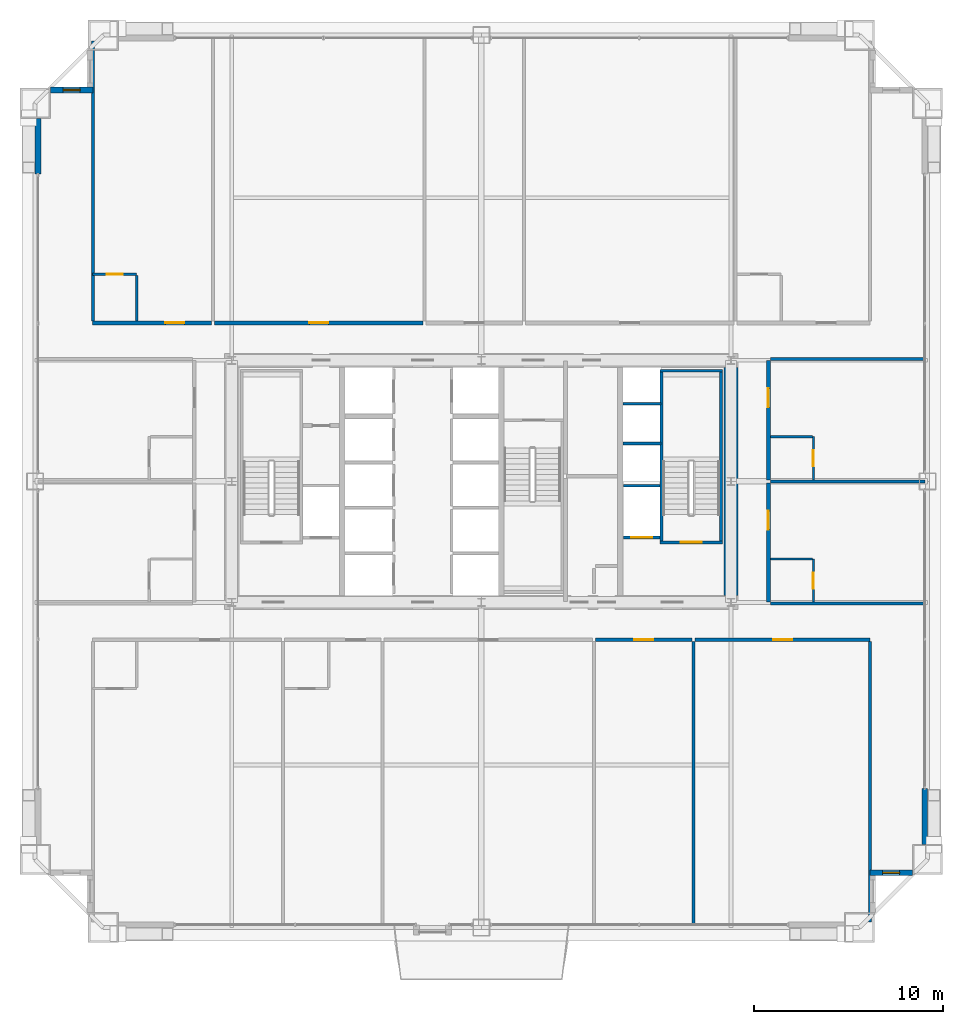
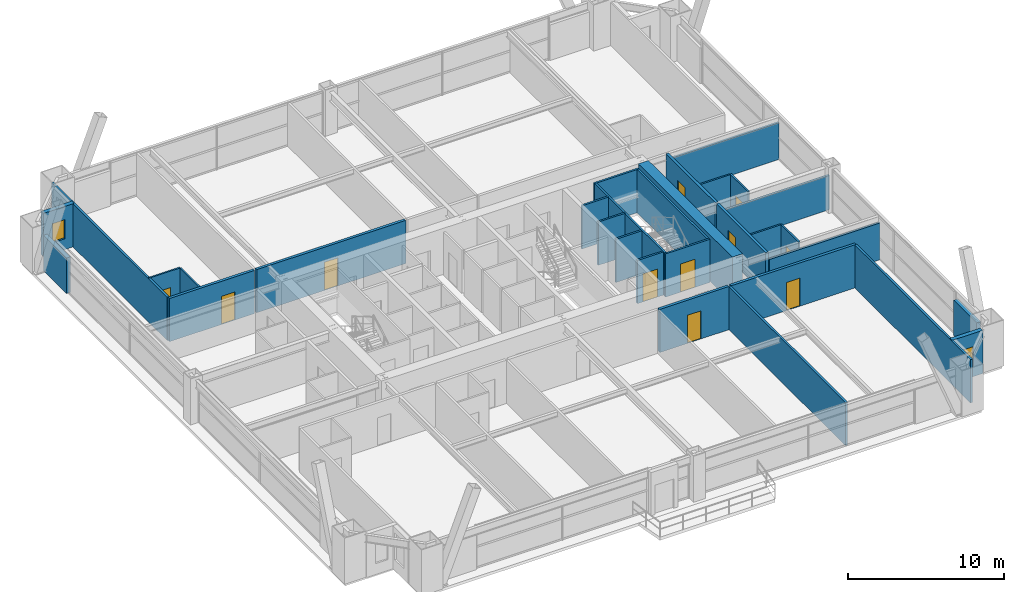
# One storey, part 41 of 43: 31 walls, 11 doors, 2 windows, 13 openings.
"""IFC4 building model written with IfcOpenShell, lengths in metres."""

import ifcopenshell
import ifcopenshell.guid

model = None  # the IFC model being written
_history = None  # IfcOwnerHistory: only IFC2X3 demands one
_inside = {}  # id of a spatial element -> (the spatial element, [elements in it])
_under = {}  # id of a project, library or spatial element -> (it, [spatial elements below it])
_declared = {}  # id of a project -> (the project, [libraries it declares])
_typed = {}  # id of a type object -> (the type object, [elements of that type])
_made_of = {}  # id of a material, layer set ... -> (it, [elements and type objects made of it])


def new_model(schema):
    """Start an empty IFC model of exactly this schema.

    Asked for "IFC4X3", IfcOpenShell would pick the latest addendum, in which some entities
    have other attributes; the version numbers below select the first issue.
    IFC2X3 requires an IfcOwnerHistory on every rooted entity: one is made here for all.
    """
    global model, _history
    if schema == "IFC4X3":
        model = ifcopenshell.file(schema_version=(4, 3, 0, 0))
    else:
        model = ifcopenshell.file(schema=schema)
    _inside.clear()
    _under.clear()
    _declared.clear()
    _typed.clear()
    _made_of.clear()
    _history = None
    if model.schema == "IFC2X3":
        org = make("IfcOrganization", Name="unknown")
        user = make(
            "IfcPersonAndOrganization",
            ThePerson=make("IfcPerson", FamilyName="unknown"),
            TheOrganization=org,
        )
        app = make(
            "IfcApplication",
            ApplicationDeveloper=org,
            Version="unknown",
            ApplicationFullName="unknown",
            ApplicationIdentifier="unknown",
        )
        _history = make(
            "IfcOwnerHistory",
            OwningUser=user,
            OwningApplication=app,
            ChangeAction="ADDED",
            CreationDate=0,
        )
    return model


def make(cls, **values):
    """One entity of the class cls with the attributes given. An attribute that is None is left unset."""
    return model.create_entity(
        cls, **{name: value for name, value in values.items() if value is not None}
    )


def rooted(cls, **values):
    """An entity with a GlobalId (a new one), such as an element, a storey or a relation."""
    return make(cls, GlobalId=ifcopenshell.guid.new(), OwnerHistory=_history, **values)


def si_unit(unit_type, name, prefix=None):
    """IfcSIUnit, for example si_unit("LENGTHUNIT", "METRE", prefix="MILLI")."""
    return make("IfcSIUnit", UnitType=unit_type, Prefix=prefix, Name=name)


def assignment(units):
    """IfcUnitAssignment: the units of a project."""
    return None if units is None else make("IfcUnitAssignment", Units=units)


def point(xyz):
    """IfcCartesianPoint."""
    return None if xyz is None else make("IfcCartesianPoint", Coordinates=xyz)


def direction(xyz):
    """IfcDirection."""
    return None if xyz is None else make("IfcDirection", DirectionRatios=xyz)


def frame(location, z_axis=None, x_axis=None):
    """IfcAxis2Placement3D, a coordinate frame: its origin and axes. An axis left out is left unset."""
    return make(
        "IfcAxis2Placement3D",
        Location=point(location),
        Axis=direction(z_axis),
        RefDirection=direction(x_axis),
    )


def frame_2d(location, x_axis=None):
    """IfcAxis2Placement2D, a coordinate frame in the plane: its origin and x axis."""
    return make(
        "IfcAxis2Placement2D", Location=point(location), RefDirection=direction(x_axis)
    )


def origin():
    """The frame at (0, 0, 0) with its axes left unset."""
    return frame((0.0, 0.0, 0.0))


def place(relative_to, where):
    """IfcLocalPlacement: puts the frame where relative to a parent placement (None: the world)."""
    return make(
        "IfcLocalPlacement", PlacementRelTo=relative_to, RelativePlacement=where
    )


def context(
    kind, dimensions, precision=None, world=None, true_north=None, identifier=None
):
    """IfcGeometricRepresentationContext, for example the 3D "Model" context."""
    return make(
        "IfcGeometricRepresentationContext",
        ContextIdentifier=identifier,
        ContextType=kind,
        CoordinateSpaceDimension=dimensions,
        Precision=precision,
        WorldCoordinateSystem=world,
        TrueNorth=true_north,
    )


def subcontext(parent, identifier, kind, view, scale=None):
    """IfcGeometricRepresentationSubContext, for example "Body" below "Model"."""
    return make(
        "IfcGeometricRepresentationSubContext",
        ContextIdentifier=identifier,
        ContextType=kind,
        ParentContext=parent,
        TargetScale=scale,
        TargetView=view,
    )


def project(units=None, contexts=None):
    """IfcProject with its units and contexts."""
    return rooted(
        "IfcProject",
        Name="project",
        RepresentationContexts=contexts,
        UnitsInContext=assignment(units),
    )


def spatial(cls, under=None, at=None, **own):
    """A site, building, storey or space (cls), placed at a placement, below another one or the project."""
    s = rooted(cls, ObjectPlacement=at, **own)
    if under is not None:
        _under.setdefault(under.id(), (under, []))[1].append(s)
    return s


def profile(cls, at=None, kind="AREA", **sizes):
    """A parametric profile (cls). Its sizes go by their IFC names, for example OverallWidth=200.0."""
    return make(cls, ProfileType=kind, Position=at, **sizes)


def rectangle(**sizes):
    """IfcRectangleProfileDef."""
    return profile("IfcRectangleProfileDef", **sizes)


def extrude(swept, where, along, depth):
    """IfcExtrudedAreaSolid: the profile swept, set in the frame where, extruded along a direction by depth."""
    return make(
        "IfcExtrudedAreaSolid",
        SweptArea=swept,
        Position=where,
        ExtrudedDirection=direction(along),
        Depth=depth,
    )


def shape(context_of_items, identifier, shape_type, items):
    """IfcShapeRepresentation: the items that make up one representation, for example the "Body"."""
    return make(
        "IfcShapeRepresentation",
        ContextOfItems=context_of_items,
        RepresentationIdentifier=identifier,
        RepresentationType=shape_type,
        Items=items,
    )


def source(mapping_origin, context_of_items, identifier, shape_type, items):
    """IfcRepresentationMap: a shape defined once, which mapped items show again and again."""
    return make(
        "IfcRepresentationMap",
        MappingOrigin=mapping_origin,
        MappedRepresentation=shape(context_of_items, identifier, shape_type, items),
    )


def transform(
    local_origin,
    x_axis=None,
    y_axis=None,
    z_axis=None,
    scale=None,
    scale2=None,
    scale3=None,
    uniform=True,
):
    """IfcCartesianTransformationOperator3D, or its non-uniform kind. x_axis, y_axis, z_axis: its Axis1, 2, 3."""
    if uniform:
        return make(
            "IfcCartesianTransformationOperator3D",
            Axis1=direction(x_axis),
            Axis2=direction(y_axis),
            LocalOrigin=point(local_origin),
            Scale=scale,
            Axis3=direction(z_axis),
        )
    return make(
        "IfcCartesianTransformationOperator3DnonUniform",
        Axis1=direction(x_axis),
        Axis2=direction(y_axis),
        LocalOrigin=point(local_origin),
        Scale=scale,
        Axis3=direction(z_axis),
        Scale2=scale2,
        Scale3=scale3,
    )


def mapped(mapping_source, mapping_target):
    """IfcMappedItem: shows the shape of a source again, moved by a transform."""
    return make(
        "IfcMappedItem", MappingSource=mapping_source, MappingTarget=mapping_target
    )


def material(Name=None, Category=None):
    """IfcMaterial."""
    return make("IfcMaterial", Name=Name, Category=Category)


def layer(
    of_material, thickness, ventilated=None, Name=None, Category=None, Priority=None
):
    """IfcMaterialLayer: one layer of a wall or slab, of a material (None: an air gap)."""
    return make(
        "IfcMaterialLayer",
        Material=of_material,
        LayerThickness=thickness,
        IsVentilated=ventilated,
        Name=Name,
        Category=Category,
        Priority=Priority,
    )


def layer_set(layers, Name=None):
    """IfcMaterialLayerSet."""
    return make("IfcMaterialLayerSet", MaterialLayers=layers, LayerSetName=Name)


def made_of(thing, what):
    """Note that an element or type object is made of a material, layer set ...; save() writes the relation."""
    if what is not None:
        _made_of.setdefault(what.id(), (what, []))[1].append(thing)
    return thing


def type_object(cls, material=None, **own):
    """A type object (cls), such as IfcWallType, which elements share."""
    return made_of(rooted(cls, **own), material)


def element(
    cls,
    number,
    at=None,
    inside=None,
    cuts=None,
    type_object=None,
    material=None,
    context=None,
    identifier="Body",
    shape_type=None,
    held_by="IfcProductDefinitionShape",
    body=None,
    shapes=None,
    **own,
):
    """One element of the class cls, such as IfcWall. Its Tag is "e" and its number.

    at: its placement. inside: the storey or other place that contains it. cuts: it is an
    opening in that element (IfcRelVoidsElement). A single representation is given by context,
    identifier, shape_type and body (its items); several are given by shapes. held_by: the class
    of the entity that holds the representations. save() writes the other relations.
    """
    e = rooted(cls, Tag="e%d" % number, ObjectPlacement=at, **own)
    if body is not None:
        shapes = [shape(context, identifier, shape_type, body)]
    if shapes is not None:
        e.Representation = make(held_by, Representations=shapes)
    if inside is not None:
        _inside.setdefault(inside.id(), (inside, []))[1].append(e)
    if cuts is not None:
        rooted(
            "IfcRelVoidsElement", RelatingBuildingElement=cuts, RelatedOpeningElement=e
        )
    if type_object is not None:
        _typed.setdefault(type_object.id(), (type_object, []))[1].append(e)
    return made_of(e, material)


def fill(opening, filler):
    """IfcRelFillsElement: the door or window that sits in an opening."""
    return rooted(
        "IfcRelFillsElement",
        RelatingOpeningElement=opening,
        RelatedBuildingElement=filler,
    )


def aggregate(whole, parts):
    """IfcRelAggregates: a whole, such as a stair, and the parts it consists of."""
    return rooted("IfcRelAggregates", RelatingObject=whole, RelatedObjects=parts)


def save(model, path):
    """Write the relations noted so far, then the file.

    IfcRelAggregates (storeys below a building ...), IfcRelContainedInSpatialStructure (elements
    in a storey), IfcRelDefinesByType, IfcRelAssociatesMaterial and IfcRelDeclares: one each for
    every whole, place, type object, material and project.
    """
    for whole, parts in _under.values():
        aggregate(whole, parts)
    for where, things in _inside.values():
        rooted(
            "IfcRelContainedInSpatialStructure",
            RelatedElements=things,
            RelatingStructure=where,
        )
    for kind, things in _typed.values():
        rooted("IfcRelDefinesByType", RelatedObjects=things, RelatingType=kind)
    for what, things in _made_of.values():
        rooted("IfcRelAssociatesMaterial", RelatedObjects=things, RelatingMaterial=what)
    for by, libraries in _declared.values():
        rooted("IfcRelDeclares", RelatingContext=by, RelatedDefinitions=libraries)
    model.write(path)


model = new_model("IFC4")

# Units and contexts
model_context = context("Model", 3, precision=1e-05, world=origin(), true_north=direction((0.0, 1.0)))
body_context = subcontext(model_context, "Body", "Model", "MODEL_VIEW")
ifc_project = project(units=[si_unit("LENGTHUNIT", "METRE"), si_unit("AREAUNIT", "SQUARE_METRE"), si_unit("VOLUMEUNIT", "CUBIC_METRE"), si_unit("PLANEANGLEUNIT", "RADIAN"), si_unit("MASSUNIT", "GRAM", prefix="KILO"), si_unit("THERMODYNAMICTEMPERATUREUNIT", "KELVIN"), si_unit("POWERUNIT", "WATT")], contexts=[model_context])

# Site, building, storey
site_placement = place(None, origin())
site = spatial("IfcSite", under=ifc_project, at=site_placement, CompositionType="ELEMENT")
building_placement = place(site_placement, origin())
building = spatial("IfcBuilding", under=site, at=building_placement, Name="Yuzanri Waterfront Tower", CompositionType="ELEMENT")
storey_placement = place(building_placement, frame((0.0, 0.0, 138.0)))
storey = spatial("IfcBuildingStorey", under=building, at=storey_placement, Name="L36", CompositionType="ELEMENT", Elevation=138.0)

# Wall, opening, door
ifc_material_1 = material(Name="Moisture-Resistant Gypsum Stud Wall", Category="gypsum")
ifc_layer_1 = layer(ifc_material_1, 0.1201171875)
ifc_layer_set_1 = layer_set([ifc_layer_1], Name="Moisture-Resistant Gypsum Stud Wall")
wall_type_1 = type_object("IfcWallType", Name="Bathroom and Kitchen Wet Partition 120", PredefinedType="PARTITIONING", material=ifc_layer_set_1)
wall_1_placement = place(storey_placement, frame((16.43994140625, 36.760009765625, 0.0), z_axis=(0.0, 0.0, 1.0), x_axis=(1.0, 0.0, 0.0)))
wall_1 = element("IfcWall", 1, at=wall_1_placement, inside=storey, type_object=wall_type_1, Name="L36 Partition UW-L36-N1-BN", PredefinedType="PARTITIONING", context=body_context, shape_type="SweptSolid", body=[
    extrude(rectangle(XDim=2.330078125, YDim=0.1201171875, at=frame_2d((1.1650390625, 0.0))), origin(), (0.0, 0.0, 1.0), 3.3798828125),
])
opening_1_placement = place(wall_1_placement, frame((0.739990234375, 0.0, 0.0)))
opening_1 = element("IfcOpeningElement", 2, at=opening_1_placement, cuts=wall_1, Name="Opening ID-0850", PredefinedType="OPENING", context=body_context, shape_type="SweptSolid", body=[
    extrude(rectangle(XDim=0.85009765625, YDim=2.10009765625, at=frame_2d((0.425048828125, 1.050048828125))), frame((0.0, 0.074951171875, 0.0), z_axis=(0.0, -1.0, 0.0), x_axis=(1.0, 0.0, 0.0)), (0.0, 0.0, 1.0), 0.14990234375),
])
ifc_material_2 = material(Name="Moisture-Resistant Lacquered Timber", Category="wood")
door_type_1 = type_object("IfcDoorType", Name="En-Suite Bathroom and Kitchen Swing Door 850x2100", OperationType="NOTDEFINED", PredefinedType="DOOR", material=ifc_material_2)
shared_shape_1 = source(origin(), body_context, "Body", "SweptSolid", [
    extrude(rectangle(XDim=0.85009765625, YDim=2.10009765625, at=frame_2d((0.425048828125, 1.050048828125))), frame((0.0, 0.02490234375, 0.0), z_axis=(0.0, -1.0, 0.0), x_axis=(1.0, 0.0, 0.0)), (0.0, 0.0, 1.0), 0.050048828125),
])
door_1_placement = place(opening_1_placement, origin())
door_1 = element("IfcDoor", 3, at=door_1_placement, inside=storey, type_object=door_type_1, Name="L36 Guest En-Suite Door", OperationType="SINGLE_SWING_RIGHT", OverallHeight=2.10009765625, OverallWidth=0.85009765625, PredefinedType="DOOR", context=body_context, shape_type="MappedRepresentation", body=[
    mapped(shared_shape_1, transform((0.0, 0.0, 0.0), scale=1.0)),
])
fill(opening_1, door_1)

wall_2_placement = place(storey_placement, frame((54.56005859375, 19.409912109375, 0.0), z_axis=(0.0, 0.0, 1.0), x_axis=(0.0, 1.0, 0.0)))
wall_2 = element("IfcWall", 4, at=wall_2_placement, inside=storey, type_object=wall_type_1, Name="L36 Partition UW-L36-E1-BE2", PredefinedType="PARTITIONING", context=body_context, shape_type="SweptSolid", body=[
    extrude(rectangle(XDim=2.280029296875, YDim=0.1201171875, at=frame_2d((1.14013671875, 0.0))), origin(), (0.0, 0.0, 1.0), 3.3798828125),
])
opening_2_placement = place(wall_2_placement, frame((0.715087890625, 0.0, 0.0)))
opening_2 = element("IfcOpeningElement", 5, at=opening_2_placement, cuts=wall_2, Name="Opening ID-0850", PredefinedType="OPENING", context=body_context, shape_type="SweptSolid", body=[
    extrude(rectangle(XDim=0.85009765625, YDim=2.10009765625, at=frame_2d((0.425048828125, 1.050048828125))), frame((0.0, 0.074951171875, 0.0), z_axis=(0.0, -1.0, 0.0), x_axis=(1.0, 0.0, 0.0)), (0.0, 0.0, 1.0), 0.14990234375),
])
door_2_placement = place(opening_2_placement, origin())
door_2 = element("IfcDoor", 6, at=door_2_placement, inside=storey, type_object=door_type_1, Name="L36 Guest En-Suite Door", OperationType="SINGLE_SWING_LEFT", OverallHeight=2.10009765625, OverallWidth=0.85009765625, PredefinedType="DOOR", context=body_context, shape_type="MappedRepresentation", body=[
    mapped(shared_shape_1, transform((0.0, 0.0, 0.0), scale=1.0)),
])
fill(opening_2, door_2)

wall_3_placement = place(storey_placement, frame((54.56005859375, 25.8798828125, 0.0), z_axis=(0.0, 0.0, 1.0), x_axis=(0.0, 1.0, 0.0)))
wall_3 = element("IfcWall", 7, at=wall_3_placement, inside=storey, type_object=wall_type_1, Name="L36 Partition UW-L36-E2-BE2", PredefinedType="PARTITIONING", context=body_context, shape_type="SweptSolid", body=[
    extrude(rectangle(XDim=2.280029296875, YDim=0.1201171875, at=frame_2d((1.14013671875, 0.0))), origin(), (0.0, 0.0, 1.0), 3.3798828125),
])
opening_3_placement = place(wall_3_placement, frame((0.715087890625, 0.0, 0.0)))
opening_3 = element("IfcOpeningElement", 8, at=opening_3_placement, cuts=wall_3, Name="Opening ID-0850", PredefinedType="OPENING", context=body_context, shape_type="SweptSolid", body=[
    extrude(rectangle(XDim=0.85009765625, YDim=2.10009765625, at=frame_2d((0.425048828125, 1.050048828125))), frame((0.0, 0.074951171875, 0.0), z_axis=(0.0, -1.0, 0.0), x_axis=(1.0, 0.0, 0.0)), (0.0, 0.0, 1.0), 0.14990234375),
])
door_3_placement = place(opening_3_placement, origin())
door_3 = element("IfcDoor", 9, at=door_3_placement, inside=storey, type_object=door_type_1, Name="L36 Guest En-Suite Door", OperationType="SINGLE_SWING_LEFT", OverallHeight=2.10009765625, OverallWidth=0.85009765625, PredefinedType="DOOR", context=body_context, shape_type="MappedRepresentation", body=[
    mapped(shared_shape_1, transform((0.0, 0.0, 0.0), scale=1.0)),
])
fill(opening_3, door_3)

# Wall, opening, window
ifc_material_3 = material(Name="Honed Chongqing Dark Basalt Stone", Category="masonry")
ifc_layer_2 = layer(ifc_material_3, 0.300048828125)
ifc_layer_set_2 = layer_set([ifc_layer_2], Name="Honed Chongqing Dark Basalt Stone")
wall_type_2 = type_object("IfcWallType", Name="Bronze Rainscreen Insulated Spandrel Portal Wall 300", PredefinedType="SOLIDWALL", material=ifc_layer_set_2)
wall_4_placement = place(storey_placement, frame((57.550048828125, 5.10009765625, 0.0), z_axis=(0.0, 0.0, 1.0), x_axis=(1.0, 0.0, 0.0)))
wall_4 = element("IfcWall", 10, at=wall_4_placement, inside=storey, type_object=wall_type_2, Name="L36 Notched Corner Masonry Wall SE-X", PredefinedType="SOLIDWALL", context=body_context, shape_type="SweptSolid", body=[
    extrude(rectangle(XDim=2.25, YDim=0.300048828125, at=frame_2d((1.125, 0.0))), origin(), (0.0, 0.0, 1.0), 3.3798828125),
])
opening_4_placement = place(wall_4_placement, frame((0.675048828125, 0.0, 0.85009765625)))
opening_4 = element("IfcOpeningElement", 11, at=opening_4_placement, cuts=wall_4, Name="Opening WN-05", PredefinedType="OPENING", context=body_context, shape_type="SweptSolid", body=[
    extrude(rectangle(XDim=0.89990234375, YDim=1.5, at=frame_2d((0.449951171875, 0.75))), frame((0.0, 0.1650390625, 0.0), z_axis=(0.0, -1.0, 0.0), x_axis=(1.0, 0.0, 0.0)), (0.0, 0.0, 1.0), 0.329833984375),
])
ifc_material_4 = material(Name="Double-Silver Low-E Insulated Glass", Category="glass")
window_type = type_object("IfcWindowType", Name="Anodized Bronze Service and Stairwell Smoke-Vent Window 900x1500", PartitioningType="SINGLE_PANEL", PredefinedType="WINDOW", material=ifc_material_4)
shared_shape_2 = source(origin(), body_context, "Body", "SweptSolid", [
    extrude(rectangle(XDim=0.89990234375, YDim=1.5, at=frame_2d((0.449951171875, 0.75))), frame((0.0, 0.030029296875, 0.0), z_axis=(0.0, -1.0, 0.0), x_axis=(1.0, 0.0, 0.0)), (0.0, 0.0, 1.0), 0.06005859375),
])
window_1_placement = place(opening_4_placement, origin())
window_1 = element("IfcWindow", 12, at=window_1_placement, inside=storey, type_object=window_type, Name="L36 Notched Corner Window SE-X", OverallHeight=1.5, OverallWidth=0.89990234375, PartitioningType="SINGLE_PANEL", PredefinedType="WINDOW", context=body_context, shape_type="MappedRepresentation", body=[
    mapped(shared_shape_2, transform((0.0, 0.0, 0.0), scale=1.0)),
])
fill(opening_4, window_1)

wall_5_placement = place(storey_placement, frame((16.449951171875, 46.5, 0.0), z_axis=(0.0, 0.0, 1.0), x_axis=(-1.0, 0.0, 0.0)))
wall_5 = element("IfcWall", 13, at=wall_5_placement, inside=storey, type_object=wall_type_2, Name="L36 Notched Corner Masonry Wall NW-X", PredefinedType="SOLIDWALL", context=body_context, shape_type="SweptSolid", body=[
    extrude(rectangle(XDim=2.25, YDim=0.300048828125, at=frame_2d((1.125, 0.0))), origin(), (0.0, 0.0, 1.0), 3.3798828125),
])
opening_5_placement = place(wall_5_placement, frame((0.675048828125, 0.0, 0.85009765625)))
opening_5 = element("IfcOpeningElement", 14, at=opening_5_placement, cuts=wall_5, Name="Opening WN-05", PredefinedType="OPENING", context=body_context, shape_type="SweptSolid", body=[
    extrude(rectangle(XDim=0.89990234375, YDim=1.5, at=frame_2d((0.449951171875, 0.75))), frame((0.0, 0.1650390625, 0.0), z_axis=(0.0, -1.0, 0.0), x_axis=(1.0, 0.0, 0.0)), (0.0, 0.0, 1.0), 0.329833984375),
])
window_2_placement = place(opening_5_placement, origin())
window_2 = element("IfcWindow", 15, at=window_2_placement, inside=storey, type_object=window_type, Name="L36 Notched Corner Window NW-X", OverallHeight=1.5, OverallWidth=0.89990234375, PartitioningType="SINGLE_PANEL", PredefinedType="WINDOW", context=body_context, shape_type="MappedRepresentation", body=[
    mapped(shared_shape_2, transform((0.0, 0.0, 0.0), scale=1.0)),
])
fill(opening_5, window_2)

# Wall, opening, door
ifc_material_5 = material(Name="Concrete C40", Category="concrete")
ifc_layer_3 = layer(ifc_material_5, 0.139892578125)
ifc_layer_set_3 = layer_set([ifc_layer_3], Name="Concrete C40")
wall_type_3 = type_object("IfcWallType", Name="Core Stair Liner and Hoistway Shaft Wall 140", PredefinedType="SOLIDWALL", material=ifc_layer_set_3)
wall_6_placement = place(storey_placement, frame((44.52001953125, 22.830078125, 0.0), z_axis=(0.0, 0.0, 1.0), x_axis=(1.0, 0.0, 0.0)))
wall_6 = element("IfcWall", 16, at=wall_6_placement, inside=storey, type_object=wall_type_3, Name="L36 Lift FL-02 Front Shaft Wall", PredefinedType="SOLIDWALL", context=body_context, shape_type="SweptSolid", body=[
    extrude(rectangle(XDim=1.919921875, YDim=0.139892578125, at=frame_2d((0.9599609375, 0.0))), origin(), (0.0, 0.0, 1.0), 3.3798828125),
])
opening_6_placement = place(wall_6_placement, frame((0.409912109375, 0.0, 0.0)))
opening_6 = element("IfcOpeningElement", 17, at=opening_6_placement, cuts=wall_6, Name="Opening LD-FL-02", PredefinedType="OPENING", context=body_context, shape_type="SweptSolid", body=[
    extrude(rectangle(XDim=1.10009765625, YDim=2.199951171875, at=frame_2d((0.550048828125, 1.10009765625))), frame((0.0, 0.0849609375, 0.0), z_axis=(0.0, -1.0, 0.0), x_axis=(1.0, 0.0, 0.0)), (0.0, 0.0, 1.0), 0.169677734375),
])
ifc_material_6 = material(Name="Brushed Bronze and Stainless Steel Cab", Category="steel")
door_type_2 = type_object("IfcDoorType", Name="Center-Parting Bronze Lift Landing Sliding Door 1100x2200", OperationType="NOTDEFINED", PredefinedType="DOOR", material=ifc_material_6)
shared_shape_3 = source(origin(), body_context, "Body", "SweptSolid", [
    extrude(rectangle(XDim=1.10009765625, YDim=2.199951171875, at=frame_2d((0.550048828125, 1.10009765625))), frame((0.0, 0.02490234375, 0.0), z_axis=(0.0, -1.0, 0.0), x_axis=(1.0, 0.0, 0.0)), (0.0, 0.0, 1.0), 0.050048828125),
])
door_4_placement = place(opening_6_placement, origin())
door_4 = element("IfcDoor", 18, at=door_4_placement, inside=storey, type_object=door_type_2, Name="L36 FL-02 Lift Landing Sliding Door", OperationType="SLIDING_TO_RIGHT", OverallHeight=2.199951171875, OverallWidth=1.10009765625, PredefinedType="DOOR", context=body_context, shape_type="MappedRepresentation", body=[
    mapped(shared_shape_3, transform((0.0, 0.0, 0.0), scale=1.0)),
])
fill(opening_6, door_4)

wall_7_placement = place(storey_placement, frame((46.4599609375, 22.570068359375, 0.0), z_axis=(0.0, 0.0, 1.0), x_axis=(1.0, 0.0, 0.0)))
wall_7 = element("IfcWall", 19, at=wall_7_placement, inside=storey, type_object=wall_type_3, Name="L36 Shaft Wall STW-L36-ST-02-S", PredefinedType="SOLIDWALL", context=body_context, shape_type="SweptSolid", body=[
    extrude(rectangle(XDim=3.280029296875, YDim=0.139892578125, at=frame_2d((1.64013671875, 0.0))), origin(), (0.0, 0.0, 1.0), 3.3798828125),
])
opening_7_placement = place(wall_7_placement, frame((1.090087890625, 0.0, 0.0)))
opening_7 = element("IfcOpeningElement", 20, at=opening_7_placement, cuts=wall_7, Name="Opening FD-1100", PredefinedType="OPENING", context=body_context, shape_type="SweptSolid", body=[
    extrude(rectangle(XDim=1.10009765625, YDim=2.199951171875, at=frame_2d((0.550048828125, 1.10009765625))), frame((0.0, 0.0849609375, 0.0), z_axis=(0.0, -1.0, 0.0), x_axis=(1.0, 0.0, 0.0)), (0.0, 0.0, 1.0), 0.169677734375),
])
ifc_material_7 = material(Name="Painted Galvanized Fire Steel", Category="steel")
door_type_3 = type_object("IfcDoorType", Name="Smoke-Proof Stair and Lobby Fire Door 1100x2200", OperationType="NOTDEFINED", PredefinedType="DOOR", material=ifc_material_7)
shared_shape_4 = source(origin(), body_context, "Body", "SweptSolid", [
    extrude(rectangle(XDim=1.10009765625, YDim=2.199951171875, at=frame_2d((0.550048828125, 1.10009765625))), frame((0.0, 0.02490234375, 0.0), z_axis=(0.0, -1.0, 0.0), x_axis=(1.0, 0.0, 0.0)), (0.0, 0.0, 1.0), 0.050048828125),
])
door_5_placement = place(opening_7_placement, origin())
door_5 = element("IfcDoor", 21, at=door_5_placement, inside=storey, type_object=door_type_3, Name="L36 Stair ST-02 Fire Door", OperationType="SINGLE_SWING_RIGHT", OverallHeight=2.199951171875, OverallWidth=1.10009765625, PredefinedType="DOOR", context=body_context, shape_type="MappedRepresentation", body=[
    mapped(shared_shape_4, transform((0.0, 0.0, 0.0), scale=1.0)),
])
fill(opening_7, door_5)

ifc_material_8 = material(Name="Autoclaved Aerated Concrete Blockwork", Category="masonry")
ifc_layer_4 = layer(ifc_material_8, 0.199951171875)
ifc_layer_set_4 = layer_set([ifc_layer_4], Name="Autoclaved Aerated Concrete Blockwork")
wall_type_4 = type_object("IfcWallType", Name="Corridor and Unit Party Fire Wall 200", PredefinedType="PARTITIONING", material=ifc_layer_set_4)
wall_8_placement = place(storey_placement, frame((43.0419921875, 17.419921875, 0.0), z_axis=(0.0, 0.0, 1.0), x_axis=(1.0, 0.0, 0.0)))
wall_8 = element("IfcWall", 22, at=wall_8_placement, inside=storey, type_object=wall_type_4, Name="L36 Partition UW-L36-S4-CN", PredefinedType="PARTITIONING", context=body_context, shape_type="SweptSolid", body=[
    extrude(rectangle(XDim=5.10400390625, YDim=0.199951171875, at=frame_2d((2.552001953125, 0.0))), origin(), (0.0, 0.0, 1.0), 3.3798828125),
])
opening_8_placement = place(wall_8_placement, frame((2.052001953125, 0.0, 0.0)))
opening_8 = element("IfcOpeningElement", 23, at=opening_8_placement, cuts=wall_8, Name="Opening FD-1000", PredefinedType="OPENING", context=body_context, shape_type="SweptSolid", body=[
    extrude(rectangle(XDim=1.0, YDim=2.199951171875, at=frame_2d((0.5, 1.10009765625))), frame((0.0, 0.11474609375, 0.0), z_axis=(0.0, -1.0, 0.0), x_axis=(1.0, 0.0, 0.0)), (0.0, 0.0, 1.0), 0.229736328125),
])
ifc_material_9 = material(Name="Engineered Oak Fire-Rated Timber", Category="wood")
door_type_4 = type_object("IfcDoorType", Name="Guestroom and Apartment Entrance Fire Door 1000x2200", OperationType="NOTDEFINED", PredefinedType="DOOR", material=ifc_material_9)
shared_shape_5 = source(origin(), body_context, "Body", "SweptSolid", [
    extrude(rectangle(XDim=1.0, YDim=2.199951171875, at=frame_2d((0.5, 1.10009765625))), frame((0.0, 0.02490234375, 0.0), z_axis=(0.0, -1.0, 0.0), x_axis=(1.0, 0.0, 0.0)), (0.0, 0.0, 1.0), 0.050048828125),
])
door_6_placement = place(opening_8_placement, origin())
door_6 = element("IfcDoor", 24, at=door_6_placement, inside=storey, type_object=door_type_4, Name="L36 Pilates Gym Studio Entrance Door", OperationType="SINGLE_SWING_LEFT", OverallHeight=2.199951171875, OverallWidth=1.0, PredefinedType="DOOR", context=body_context, shape_type="MappedRepresentation", body=[
    mapped(shared_shape_5, transform((0.0, 0.0, 0.0), scale=1.0)),
])
fill(opening_8, door_6)

wall_9_placement = place(storey_placement, frame((48.305908203125, 17.419921875, 0.0), z_axis=(0.0, 0.0, 1.0), x_axis=(1.0, 0.0, 0.0)))
wall_9 = element("IfcWall", 25, at=wall_9_placement, inside=storey, type_object=wall_type_4, Name="L36 Partition UW-L36-S5-CN", PredefinedType="PARTITIONING", context=body_context, shape_type="SweptSolid", body=[
    extrude(rectangle(XDim=9.254150390625, YDim=0.199951171875, at=frame_2d((4.626953125, 0.0))), origin(), (0.0, 0.0, 1.0), 3.3798828125),
])
opening_9_placement = place(wall_9_placement, frame((4.126953125, 0.0, 0.0)))
opening_9 = element("IfcOpeningElement", 26, at=opening_9_placement, cuts=wall_9, Name="Opening FD-1000", PredefinedType="OPENING", context=body_context, shape_type="SweptSolid", body=[
    extrude(rectangle(XDim=1.0, YDim=2.199951171875, at=frame_2d((0.5, 1.10009765625))), frame((0.0, 0.11474609375, 0.0), z_axis=(0.0, -1.0, 0.0), x_axis=(1.0, 0.0, 0.0)), (0.0, 0.0, 1.0), 0.229736328125),
])
door_7_placement = place(opening_9_placement, origin())
door_7 = element("IfcDoor", 27, at=door_7_placement, inside=storey, type_object=door_type_4, Name="L36 Spin Gym Studio Entrance Door", OperationType="SINGLE_SWING_RIGHT", OverallHeight=2.199951171875, OverallWidth=1.0, PredefinedType="DOOR", context=body_context, shape_type="MappedRepresentation", body=[
    mapped(shared_shape_5, transform((0.0, 0.0, 0.0), scale=1.0)),
])
fill(opening_9, door_7)

wall_10_placement = place(storey_placement, frame((16.43994140625, 34.179931640625, 0.0), z_axis=(0.0, 0.0, 1.0), x_axis=(1.0, 0.0, 0.0)))
wall_10 = element("IfcWall", 28, at=wall_10_placement, inside=storey, type_object=wall_type_4, Name="L36 Partition UW-L36-N1-CS", PredefinedType="PARTITIONING", context=body_context, shape_type="SweptSolid", body=[
    extrude(rectangle(XDim=6.2939453125, YDim=0.199951171875, at=frame_2d((3.14697265625, 0.0))), origin(), (0.0, 0.0, 1.0), 3.3798828125),
])
opening_10_placement = place(wall_10_placement, frame((3.85205078125, 0.0, 0.0)))
opening_10 = element("IfcOpeningElement", 29, at=opening_10_placement, cuts=wall_10, Name="Opening FD-1000", PredefinedType="OPENING", context=body_context, shape_type="SweptSolid", body=[
    extrude(rectangle(XDim=1.0, YDim=2.199951171875, at=frame_2d((0.5, 1.10009765625))), frame((0.0, 0.11474609375, 0.0), z_axis=(0.0, -1.0, 0.0), x_axis=(1.0, 0.0, 0.0)), (0.0, 0.0, 1.0), 0.229736328125),
])
door_8_placement = place(opening_10_placement, origin())
door_8 = element("IfcDoor", 30, at=door_8_placement, inside=storey, type_object=door_type_4, Name="L36 Cityview Suite Entrance Door", OperationType="SINGLE_SWING_LEFT", OverallHeight=2.199951171875, OverallWidth=1.0, PredefinedType="DOOR", context=body_context, shape_type="MappedRepresentation", body=[
    mapped(shared_shape_5, transform((0.0, 0.0, 0.0), scale=1.0)),
])
fill(opening_10, door_8)

wall_11_placement = place(storey_placement, frame((22.89404296875, 34.179931640625, 0.0), z_axis=(0.0, 0.0, 1.0), x_axis=(1.0, 0.0, 0.0)))
wall_11 = element("IfcWall", 31, at=wall_11_placement, inside=storey, type_object=wall_type_4, Name="L36 Partition UW-L36-N2-CS", PredefinedType="PARTITIONING", context=body_context, shape_type="SweptSolid", body=[
    extrude(rectangle(XDim=11.02392578125, YDim=0.199951171875, at=frame_2d((5.511962890625, 0.0))), origin(), (0.0, 0.0, 1.0), 3.3798828125),
])
opening_11_placement = place(wall_11_placement, frame((5.011962890625, 0.0, 0.0)))
opening_11 = element("IfcOpeningElement", 32, at=opening_11_placement, cuts=wall_11, Name="Opening FD-1000", PredefinedType="OPENING", context=body_context, shape_type="SweptSolid", body=[
    extrude(rectangle(XDim=1.0, YDim=2.199951171875, at=frame_2d((0.5, 1.10009765625))), frame((0.0, 0.11474609375, 0.0), z_axis=(0.0, -1.0, 0.0), x_axis=(1.0, 0.0, 0.0)), (0.0, 0.0, 1.0), 0.229736328125),
])
door_9_placement = place(opening_11_placement, origin())
door_9 = element("IfcDoor", 33, at=door_9_placement, inside=storey, type_object=door_type_4, Name="L36 Meeting Room 1 Entrance Door", OperationType="SINGLE_SWING_LEFT", OverallHeight=2.199951171875, OverallWidth=1.0, PredefinedType="DOOR", context=body_context, shape_type="MappedRepresentation", body=[
    mapped(shared_shape_5, transform((0.0, 0.0, 0.0), scale=1.0)),
])
fill(opening_11, door_9)

wall_12_placement = place(storey_placement, frame((52.179931640625, 19.409912109375, 0.0), z_axis=(0.0, 0.0, 1.0), x_axis=(0.0, 1.0, 0.0)))
wall_12 = element("IfcWall", 34, at=wall_12_placement, inside=storey, type_object=wall_type_4, Name="L36 Partition UW-L36-E1-CW", PredefinedType="PARTITIONING", context=body_context, shape_type="SweptSolid", body=[
    extrude(rectangle(XDim=6.31005859375, YDim=0.199951171875, at=frame_2d((3.155029296875, 0.0))), origin(), (0.0, 0.0, 1.0), 3.3798828125),
])
opening_12_placement = place(wall_12_placement, frame((3.8349609375, 0.0, 0.0)))
opening_12 = element("IfcOpeningElement", 35, at=opening_12_placement, cuts=wall_12, Name="Opening FD-1000", PredefinedType="OPENING", context=body_context, shape_type="SweptSolid", body=[
    extrude(rectangle(XDim=1.0, YDim=2.199951171875, at=frame_2d((0.5, 1.10009765625))), frame((0.0, 0.11474609375, 0.0), z_axis=(0.0, -1.0, 0.0), x_axis=(1.0, 0.0, 0.0)), (0.0, 0.0, 1.0), 0.229736328125),
])
door_10_placement = place(opening_12_placement, origin())
door_10 = element("IfcDoor", 36, at=door_10_placement, inside=storey, type_object=door_type_4, Name="L36 East Guest Room Entrance Door", OperationType="SINGLE_SWING_RIGHT", OverallHeight=2.199951171875, OverallWidth=1.0, PredefinedType="DOOR", context=body_context, shape_type="MappedRepresentation", body=[
    mapped(shared_shape_5, transform((0.0, 0.0, 0.0), scale=1.0)),
])
fill(opening_12, door_10)

wall_13_placement = place(storey_placement, frame((52.179931640625, 25.8798828125, 0.0), z_axis=(0.0, 0.0, 1.0), x_axis=(0.0, 1.0, 0.0)))
wall_13 = element("IfcWall", 37, at=wall_13_placement, inside=storey, type_object=wall_type_4, Name="L36 Partition UW-L36-E2-CW", PredefinedType="PARTITIONING", context=body_context, shape_type="SweptSolid", body=[
    extrude(rectangle(XDim=6.31005859375, YDim=0.199951171875, at=frame_2d((3.155029296875, 0.0))), origin(), (0.0, 0.0, 1.0), 3.3798828125),
])
opening_13_placement = place(wall_13_placement, frame((3.8349609375, 0.0, 0.0)))
opening_13 = element("IfcOpeningElement", 38, at=opening_13_placement, cuts=wall_13, Name="Opening FD-1000", PredefinedType="OPENING", context=body_context, shape_type="SweptSolid", body=[
    extrude(rectangle(XDim=1.0, YDim=2.199951171875, at=frame_2d((0.5, 1.10009765625))), frame((0.0, 0.11474609375, 0.0), z_axis=(0.0, -1.0, 0.0), x_axis=(1.0, 0.0, 0.0)), (0.0, 0.0, 1.0), 0.229736328125),
])
door_11_placement = place(opening_13_placement, origin())
door_11 = element("IfcDoor", 39, at=door_11_placement, inside=storey, type_object=door_type_4, Name="L36 East Guest Room Entrance Door", OperationType="SINGLE_SWING_RIGHT", OverallHeight=2.199951171875, OverallWidth=1.0, PredefinedType="DOOR", context=body_context, shape_type="MappedRepresentation", body=[
    mapped(shared_shape_5, transform((0.0, 0.0, 0.0), scale=1.0)),
])
fill(opening_13, door_11)

# Walls
ifc_material_10 = material(Name="Concrete C55", Category="concrete")
ifc_layer_5 = layer(ifc_material_10, 0.75)
ifc_layer_set_5 = layer_set([ifc_layer_5], Name="Concrete C55")
wall_type_5 = type_object("IfcWallType", Name="Concrete C55 Low-Mid Zone Core Shear Wall 750", PredefinedType="SHEAR", material=ifc_layer_set_5)
shared_shape_6 = source(origin(), body_context, "Body", "SweptSolid", [
    extrude(rectangle(XDim=12.050048828125, YDim=0.75, at=frame_2d((6.02490234375, 0.0))), origin(), (0.0, 0.0, 1.0), 3.60009765625),
])
wall_14_placement = place(storey_placement, frame((50.199951171875, 19.77490234375, 0.0), z_axis=(0.0, 0.0, 1.0), x_axis=(0.0, 1.0, 0.0)))
element("IfcWall", 40, at=wall_14_placement, inside=storey, type_object=wall_type_5, Name="L36 Core East Shear Wall", PredefinedType="SHEAR", context=body_context, shape_type="MappedRepresentation", body=[
    mapped(shared_shape_6, transform((0.0, 0.0, 0.0), scale=1.0)),
])
shared_shape_7 = source(origin(), body_context, "Body", "SweptSolid", [
    extrude(rectangle(XDim=2.949951171875, YDim=0.300048828125, at=frame_2d((1.47509765625, 0.0))), origin(), (0.0, 0.0, 1.0), 2.77490234375),
])
for number, where, z_axis, x_axis, name in (
    (41, (13.550048828125, 42.050048828125, 0.0), (0.0, 0.0, 1.0), (0.0, 1.0, 0.0), "L36 W Right Braced Masonry Shoulder"),
    (42, (60.449951171875, 6.60009765625, 0.0), (0.0, 0.0, 1.0), (0.0, 1.0, 0.0), "L36 E Left Braced Masonry Shoulder"),
):
    element("IfcWall", number, at=place(storey_placement, frame(where, z_axis=z_axis, x_axis=x_axis)), inside=storey, type_object=wall_type_2, Name=name, PredefinedType="SOLIDWALL", context=body_context, shape_type="MappedRepresentation", body=[
        mapped(shared_shape_7, transform((0.0, 0.0, 0.0), scale=1.0)),
    ])
shared_shape_8 = source(origin(), body_context, "Body", "SweptSolid", [
    extrude(rectangle(XDim=1.919921875, YDim=0.139892578125, at=frame_2d((0.9599609375, 0.0))), origin(), (0.0, 0.0, 1.0), 3.3798828125),
])
wall_15_placement = place(storey_placement, frame((44.52001953125, 25.570068359375, 0.0), z_axis=(0.0, 0.0, 1.0), x_axis=(1.0, 0.0, 0.0)))
element("IfcWall", 43, at=wall_15_placement, inside=storey, type_object=wall_type_3, Name="L36 Lift FL-02 Back Shaft Wall", PredefinedType="SOLIDWALL", context=body_context, shape_type="MappedRepresentation", body=[
    mapped(shared_shape_8, transform((0.0, 0.0, 0.0), scale=1.0)),
])
shared_shape_9 = source(origin(), body_context, "Body", "SweptSolid", [
    extrude(rectangle(XDim=2.0, YDim=0.139892578125, at=frame_2d((1.0, 0.0))), origin(), (0.0, 0.0, 1.0), 3.3798828125),
])
for number, where, z_axis, x_axis, name in (
    (44, (44.5, 27.800048828125, 0.0), (0.0, 0.0, 1.0), (1.0, 0.0, 0.0), "L36 Lift PL-09 Divider Wall"),
    (45, (44.5, 29.89990234375, 0.0), (0.0, 0.0, 1.0), (1.0, 0.0, 0.0), "L36 Lift PL-10 Divider Wall"),
):
    element("IfcWall", number, at=place(storey_placement, frame(where, z_axis=z_axis, x_axis=x_axis)), inside=storey, type_object=wall_type_3, Name=name, PredefinedType="SOLIDWALL", context=body_context, shape_type="MappedRepresentation", body=[
        mapped(shared_shape_9, transform((0.0, 0.0, 0.0), scale=1.0)),
    ])
shared_shape_10 = source(origin(), body_context, "Body", "SweptSolid", [
    extrude(rectangle(XDim=3.280029296875, YDim=0.139892578125, at=frame_2d((1.64013671875, 0.0))), origin(), (0.0, 0.0, 1.0), 3.3798828125),
])
wall_16_placement = place(storey_placement, frame((46.4599609375, 31.64990234375, 0.0), z_axis=(0.0, 0.0, 1.0), x_axis=(1.0, 0.0, 0.0)))
element("IfcWall", 46, at=wall_16_placement, inside=storey, type_object=wall_type_3, Name="L36 Stair ST-02 North Shaft Wall", PredefinedType="SOLIDWALL", context=body_context, shape_type="MappedRepresentation", body=[
    mapped(shared_shape_10, transform((0.0, 0.0, 0.0), scale=1.0)),
])
shared_shape_11 = source(origin(), body_context, "Body", "SweptSolid", [
    extrude(rectangle(XDim=8.940185546875, YDim=0.139892578125, at=frame_2d((4.47021484375, 0.0))), origin(), (0.0, 0.0, 1.0), 3.3798828125),
])
for number, where, z_axis, x_axis, name in (
    (47, (46.530029296875, 22.639892578125, 0.0), (0.0, 0.0, 1.0), (0.0, 1.0, 0.0), "L36 Stair ST-02 West Shaft Wall"),
    (48, (49.669921875, 22.639892578125, 0.0), (0.0, 0.0, 1.0), (0.0, 1.0, 0.0), "L36 Stair ST-02 East Shaft Wall"),
):
    element("IfcWall", number, at=place(storey_placement, frame(where, z_axis=z_axis, x_axis=x_axis)), inside=storey, type_object=wall_type_3, Name=name, PredefinedType="SOLIDWALL", context=body_context, shape_type="MappedRepresentation", body=[
        mapped(shared_shape_11, transform((0.0, 0.0, 0.0), scale=1.0)),
    ])
shared_shape_12 = source(origin(), body_context, "Body", "SweptSolid", [
    extrude(rectangle(XDim=2.419921875, YDim=0.1201171875, at=frame_2d((1.2099609375, 0.0))), origin(), (0.0, 0.0, 1.0), 3.3798828125),
])
wall_17_placement = place(storey_placement, frame((18.77001953125, 34.280029296875, 0.0), z_axis=(0.0, 0.0, 1.0), x_axis=(0.0, 1.0, 0.0)))
element("IfcWall", 49, at=wall_17_placement, inside=storey, type_object=wall_type_1, Name="L36-N1 En-Suite Side Wall", PredefinedType="PARTITIONING", context=body_context, shape_type="MappedRepresentation", body=[
    mapped(shared_shape_12, transform((0.0, 0.0, 0.0), scale=1.0)),
])
shared_shape_13 = source(origin(), body_context, "Body", "SweptSolid", [
    extrude(rectangle(XDim=2.219970703125, YDim=0.1201171875, at=frame_2d((1.10986328125, 0.0))), origin(), (0.0, 0.0, 1.0), 3.3798828125),
])
for number, where, z_axis, x_axis, name in (
    (50, (52.280029296875, 21.68994140625, 0.0), (0.0, 0.0, 1.0), (1.0, 0.0, 0.0), "L36-E1 En-Suite Top Wall"),
    (51, (52.280029296875, 28.159912109375, 0.0), (0.0, 0.0, 1.0), (1.0, 0.0, 0.0), "L36-E2 En-Suite Top Wall"),
):
    element("IfcWall", number, at=place(storey_placement, frame(where, z_axis=z_axis, x_axis=x_axis)), inside=storey, type_object=wall_type_1, Name=name, PredefinedType="PARTITIONING", context=body_context, shape_type="MappedRepresentation", body=[
        mapped(shared_shape_13, transform((0.0, 0.0, 0.0), scale=1.0)),
    ])
ifc_material_11 = material(Name="Gypsum Fireboard Acoustic Stud Wall", Category="gypsum")
ifc_layer_6 = layer(ifc_material_11, 0.159912109375)
ifc_layer_set_6 = layer_set([ifc_layer_6], Name="Gypsum Fireboard Acoustic Stud Wall")
wall_type_6 = type_object("IfcWallType", Name="Acoustic Suite Demising Partition 160", PredefinedType="PARTITIONING", material=ifc_layer_set_6)
shared_shape_14 = source(origin(), body_context, "Body", "SweptSolid", [
    extrude(rectangle(XDim=8.169921875, YDim=0.159912109375, at=frame_2d((4.0849609375, 0.0))), origin(), (0.0, 0.0, 1.0), 2.675048828125),
])
wall_18_placement = place(storey_placement, frame((52.280029296875, 25.800048828125, 0.0), z_axis=(0.0, 0.0, 1.0), x_axis=(1.0, 0.0, 0.0)))
element("IfcWall", 52, at=wall_18_placement, inside=storey, type_object=wall_type_6, Name="L36-E1 Wing Party Wall", PredefinedType="PARTITIONING", context=body_context, shape_type="MappedRepresentation", body=[
    mapped(shared_shape_14, transform((0.0, 0.0, 0.0), scale=1.0)),
])
shared_shape_15 = source(origin(), body_context, "Body", "SweptSolid", [
    extrude(rectangle(XDim=8.169921875, YDim=0.159912109375, at=frame_2d((4.0849609375, 0.0))), origin(), (0.0, 0.0, 1.0), 2.875),
])
for number, where, z_axis, x_axis, name in (
    (53, (52.280029296875, 19.330078125, 0.0), (0.0, 0.0, 1.0), (1.0, 0.0, 0.0), "L36-E1 Wing South End Wall"),
    (54, (52.280029296875, 32.27001953125, 0.0), (0.0, 0.0, 1.0), (1.0, 0.0, 0.0), "L36-E2 Wing North End Wall"),
):
    element("IfcWall", number, at=place(storey_placement, frame(where, z_axis=z_axis, x_axis=x_axis)), inside=storey, type_object=wall_type_6, Name=name, PredefinedType="PARTITIONING", context=body_context, shape_type="MappedRepresentation", body=[
        mapped(shared_shape_15, transform((0.0, 0.0, 0.0), scale=1.0)),
    ])
shared_shape_16 = source(origin(), body_context, "Body", "SweptSolid", [
    extrude(rectangle(XDim=14.969970703125, YDim=0.159912109375, at=frame_2d((7.48486328125, 0.0))), origin(), (0.0, 0.0, 1.0), 3.3798828125),
])
wall_19_placement = place(storey_placement, frame((48.22607421875, 2.35009765625, 0.0), z_axis=(0.0, 0.0, 1.0), x_axis=(0.0, 1.0, 0.0)))
element("IfcWall", 55, at=wall_19_placement, inside=storey, type_object=wall_type_6, Name="L36-S4 Party Wall", PredefinedType="PARTITIONING", context=body_context, shape_type="MappedRepresentation", body=[
    mapped(shared_shape_16, transform((0.0, 0.0, 0.0), scale=1.0)),
])
shared_shape_17 = source(origin(), body_context, "Body", "SweptSolid", [
    extrude(rectangle(XDim=14.820068359375, YDim=0.159912109375, at=frame_2d((7.41015625, 0.0))), origin(), (0.0, 0.0, 1.0), 3.3798828125),
])
for number, where, z_axis, x_axis, name in (
    (56, (57.550048828125, 2.5, 0.0), (0.0, 0.0, 1.0), (0.0, 1.0, 0.0), "L36 South Band East End Wall"),
    (57, (16.449951171875, 34.280029296875, 0.0), (0.0, 0.0, 1.0), (0.0, 1.0, 0.0), "L36 North Band West End Wall"),
):
    element("IfcWall", number, at=place(storey_placement, frame(where, z_axis=z_axis, x_axis=x_axis)), inside=storey, type_object=wall_type_6, Name=name, PredefinedType="PARTITIONING", context=body_context, shape_type="MappedRepresentation", body=[
        mapped(shared_shape_17, transform((0.0, 0.0, 0.0), scale=1.0)),
    ])

save(model, "model.ifc")
